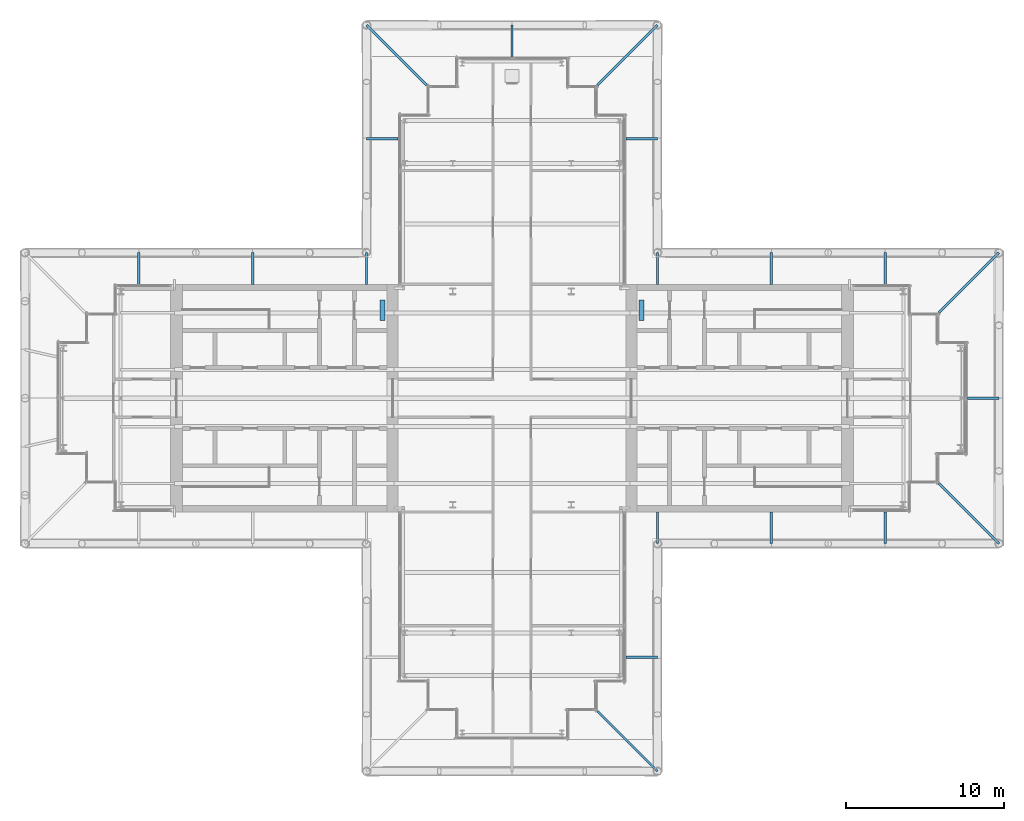
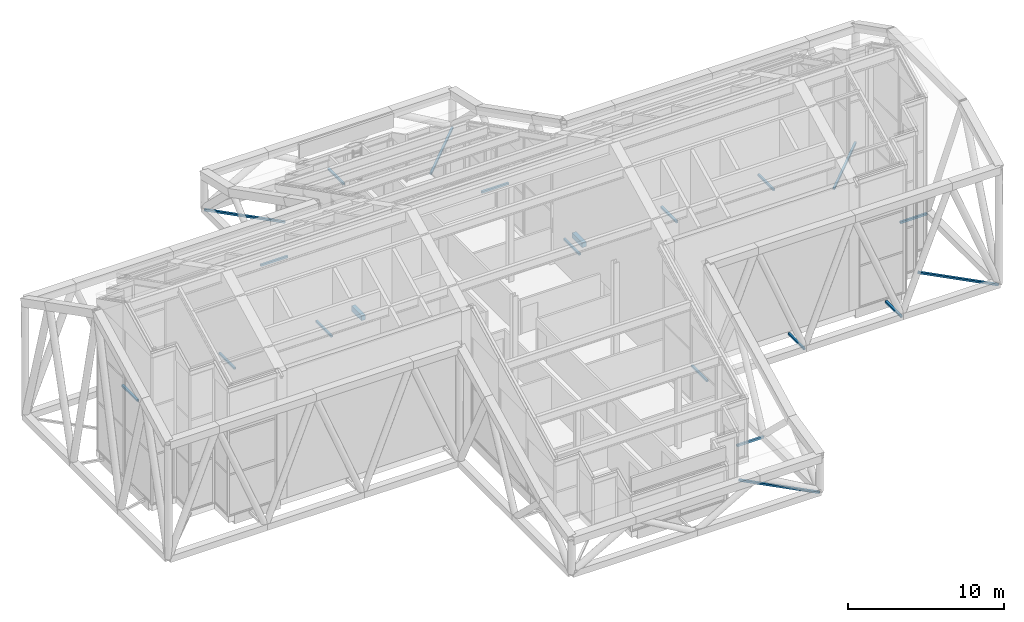
# One storey, part 23 of 25: 21 discrete accessories.
"""IFC4 building model written with IfcOpenShell, lengths in metres."""

from ifc_helpers import new_model, si_unit, direction, frame, origin, origin_2d, place, context, subcontext, project, spatial, rectangle, hollow_rectangle, extrude, material, element, save


model = new_model("IFC4")

# Units and contexts
model_context = context("Model", 3, precision=1e-05, world=origin(), true_north=direction((0.0, 1.0)))
body_context = subcontext(model_context, "Body", "Model", "MODEL_VIEW")
ifc_project = project(units=[si_unit("LENGTHUNIT", "METRE"), si_unit("AREAUNIT", "SQUARE_METRE"), si_unit("VOLUMEUNIT", "CUBIC_METRE"), si_unit("PLANEANGLEUNIT", "RADIAN"), si_unit("MASSUNIT", "GRAM", prefix="KILO")], contexts=[model_context])

# Site, building, storey
site_placement = place(None, origin())
site = spatial("IfcSite", under=ifc_project, at=site_placement, CompositionType="ELEMENT")
building_placement = place(site_placement, origin())
building = spatial("IfcBuilding", under=site, at=building_placement, Name="Fustian Cross Tower", CompositionType="ELEMENT")
storey_placement = place(building_placement, frame((0.0, 0.0, 247.5)))
storey = spatial("IfcBuildingStorey", under=building, at=storey_placement, Name="L77", CompositionType="ELEMENT", Elevation=247.5)

# Discrete accessories
ifc_material = material(Name="Steel S355", Category="steel")
discrete_accessory_1_placement = place(storey_placement, frame((30.800048828125, 0.0, -0.14990234375), z_axis=(-1.0, 0.0, 0.0), x_axis=(0.0, -1.0, 0.0)))
element("IfcDiscreteAccessory", 1, at=discrete_accessory_1_placement, inside=storey, material=ifc_material, Name="Diagrid node bracket L77-01", PredefinedType="BRACKET", context=body_context, shape_type="SweptSolid", body=[
    extrude(hollow_rectangle(XDim=0.14990234375, YDim=0.14990234375, WallThickness=0.010009765625, at=origin_2d()), origin(), (0.0, 0.0, 1.0), 2.0),
])
discrete_accessory_2_placement = place(storey_placement, frame((30.800048828125, 9.199951171875, -0.14990234375), z_axis=(-0.707106781187, -0.707106781187, 0.0), x_axis=(0.707106781187, -0.707106781187, 0.0)))
element("IfcDiscreteAccessory", 2, at=discrete_accessory_2_placement, inside=storey, material=ifc_material, Name="Diagrid node bracket L77-02", PredefinedType="BRACKET", context=body_context, shape_type="SweptSolid", body=[
    extrude(hollow_rectangle(XDim=0.14990234375, YDim=0.14990234375, WallThickness=0.010009765625, at=origin_2d()), origin(), (0.0, 0.0, 1.0), 5.3740234375),
])
for number, where, z_axis, x_axis, name in (
    (3, (23.60009765625, 9.199951171875, -0.14990234375), (0.0, -1.0, 0.0), (1.0, 0.0, 0.0), "Diagrid node bracket L77-03"),
    (4, (16.39990234375, 9.199951171875, -0.14990234375), (0.0, -1.0, 0.0), (1.0, 0.0, 0.0), "Diagrid node bracket L77-04"),
    (5, (9.199951171875, 9.199951171875, -0.14990234375), (0.0, -1.0, 0.0), (1.0, 0.0, 0.0), "Diagrid node bracket L77-05"),
    (6, (9.199951171875, 16.39990234375, -0.14990234375), (-1.0, 0.0, 0.0), (0.0, -1.0, 0.0), "Diagrid node bracket L77-06"),
):
    element("IfcDiscreteAccessory", number, at=place(storey_placement, frame(where, z_axis=z_axis, x_axis=x_axis)), inside=storey, material=ifc_material, Name=name, PredefinedType="BRACKET", context=body_context, shape_type="SweptSolid", body=[
        extrude(hollow_rectangle(XDim=0.14990234375, YDim=0.14990234375, WallThickness=0.010009765625, at=origin_2d()), origin(), (0.0, 0.0, 1.0), 2.0),
    ])
discrete_accessory_3_placement = place(storey_placement, frame((9.199951171875, 23.60009765625, -0.14990234375), z_axis=(-0.707106781187, -0.707106781187, 0.0), x_axis=(0.707106781187, -0.707106781187, 0.0)))
element("IfcDiscreteAccessory", 7, at=discrete_accessory_3_placement, inside=storey, material=ifc_material, Name="Diagrid node bracket L77-07", PredefinedType="BRACKET", context=body_context, shape_type="SweptSolid", body=[
    extrude(hollow_rectangle(XDim=0.14990234375, YDim=0.14990234375, WallThickness=0.010009765625, at=origin_2d()), origin(), (0.0, 0.0, 1.0), 5.3740234375),
])
discrete_accessory_4_placement = place(storey_placement, frame((0.0, 23.60009765625, -0.14990234375), z_axis=(0.0, -1.0, 0.0), x_axis=(1.0, 0.0, 0.0)))
element("IfcDiscreteAccessory", 8, at=discrete_accessory_4_placement, inside=storey, material=ifc_material, Name="Diagrid node bracket L77-08", PredefinedType="BRACKET", context=body_context, shape_type="SweptSolid", body=[
    extrude(hollow_rectangle(XDim=0.14990234375, YDim=0.14990234375, WallThickness=0.010009765625, at=origin_2d()), origin(), (0.0, 0.0, 1.0), 2.0),
])
discrete_accessory_5_placement = place(storey_placement, frame((-9.199951171875, 23.60009765625, -0.14990234375), z_axis=(0.707106781187, -0.707106781187, 0.0), x_axis=(0.707106781187, 0.707106781187, 0.0)))
element("IfcDiscreteAccessory", 9, at=discrete_accessory_5_placement, inside=storey, material=ifc_material, Name="Diagrid node bracket L77-09", PredefinedType="BRACKET", context=body_context, shape_type="SweptSolid", body=[
    extrude(hollow_rectangle(XDim=0.14990234375, YDim=0.14990234375, WallThickness=0.010009765625, at=origin_2d()), origin(), (0.0, 0.0, 1.0), 5.3740234375),
])
for number, where, z_axis, x_axis, name in (
    (10, (-9.199951171875, 16.39990234375, -0.14990234375), (1.0, 0.0, 0.0), (0.0, 1.0, 0.0), "Diagrid node bracket L77-10"),
    (11, (-9.199951171875, 9.199951171875, -0.14990234375), (0.0, -1.0, 0.0), (1.0, 0.0, 0.0), "Diagrid node bracket L77-11"),
    (12, (-16.39990234375, 9.199951171875, -0.14990234375), (0.0, -1.0, 0.0), (1.0, 0.0, 0.0), "Diagrid node bracket L77-12"),
    (13, (-23.60009765625, 9.199951171875, -0.14990234375), (0.0, -1.0, 0.0), (1.0, 0.0, 0.0), "Diagrid node bracket L77-13"),
):
    element("IfcDiscreteAccessory", number, at=place(storey_placement, frame(where, z_axis=z_axis, x_axis=x_axis)), inside=storey, material=ifc_material, Name=name, PredefinedType="BRACKET", context=body_context, shape_type="SweptSolid", body=[
        extrude(hollow_rectangle(XDim=0.14990234375, YDim=0.14990234375, WallThickness=0.010009765625, at=origin_2d()), origin(), (0.0, 0.0, 1.0), 2.0),
    ])
discrete_accessory_6_placement = place(storey_placement, frame((9.199951171875, -23.60009765625, -0.14990234375), z_axis=(-0.707106781187, 0.707106781187, 0.0), x_axis=(-0.707106781187, -0.707106781187, 0.0)))
element("IfcDiscreteAccessory", 14, at=discrete_accessory_6_placement, inside=storey, material=ifc_material, Name="Diagrid node bracket L77-24", PredefinedType="BRACKET", context=body_context, shape_type="SweptSolid", body=[
    extrude(hollow_rectangle(XDim=0.14990234375, YDim=0.14990234375, WallThickness=0.010009765625, at=origin_2d()), origin(), (0.0, 0.0, 1.0), 5.3740234375),
])
for number, where, z_axis, x_axis, name in (
    (15, (9.199951171875, -16.39990234375, -0.14990234375), (-1.0, 0.0, 0.0), (0.0, -1.0, 0.0), "Diagrid node bracket L77-25"),
    (16, (9.199951171875, -9.199951171875, -0.14990234375), (0.0, 1.0, 0.0), (-1.0, 0.0, 0.0), "Diagrid node bracket L77-26"),
    (17, (16.39990234375, -9.199951171875, -0.14990234375), (0.0, 1.0, 0.0), (-1.0, 0.0, 0.0), "Diagrid node bracket L77-27"),
    (18, (23.60009765625, -9.199951171875, -0.14990234375), (0.0, 1.0, 0.0), (-1.0, 0.0, 0.0), "Diagrid node bracket L77-28"),
):
    element("IfcDiscreteAccessory", number, at=place(storey_placement, frame(where, z_axis=z_axis, x_axis=x_axis)), inside=storey, material=ifc_material, Name=name, PredefinedType="BRACKET", context=body_context, shape_type="SweptSolid", body=[
        extrude(hollow_rectangle(XDim=0.14990234375, YDim=0.14990234375, WallThickness=0.010009765625, at=origin_2d()), origin(), (0.0, 0.0, 1.0), 2.0),
    ])
discrete_accessory_7_placement = place(storey_placement, frame((30.800048828125, -9.199951171875, -0.14990234375), z_axis=(-0.707106781187, 0.707106781187, 0.0), x_axis=(-0.707106781187, -0.707106781187, 0.0)))
element("IfcDiscreteAccessory", 19, at=discrete_accessory_7_placement, inside=storey, material=ifc_material, Name="Diagrid node bracket L77-29", PredefinedType="BRACKET", context=body_context, shape_type="SweptSolid", body=[
    extrude(hollow_rectangle(XDim=0.14990234375, YDim=0.14990234375, WallThickness=0.010009765625, at=origin_2d()), origin(), (0.0, 0.0, 1.0), 5.3740234375),
])
for number, where, z_axis, x_axis, name in (
    (20, (8.18994140625, 5.550048828125, 2.150146484375), (0.0, 0.0, 1.0), (1.0, 0.0, 0.0), "Lift machine FL1"),
    (21, (-8.18994140625, 5.550048828125, 2.150146484375), (0.0, 0.0, 1.0), (1.0, 0.0, 0.0), "Lift machine FL1W"),
):
    element("IfcDiscreteAccessory", number, at=place(storey_placement, frame(where, z_axis=z_axis, x_axis=x_axis)), inside=storey, material=ifc_material, Name=name, PredefinedType="NOTDEFINED", context=body_context, shape_type="SweptSolid", body=[
        extrude(rectangle(XDim=0.300048828125, YDim=1.300048828125, at=origin_2d()), origin(), (0.0, 0.0, 1.0), 0.39990234375),
    ])

save(model, "model.ifc")
